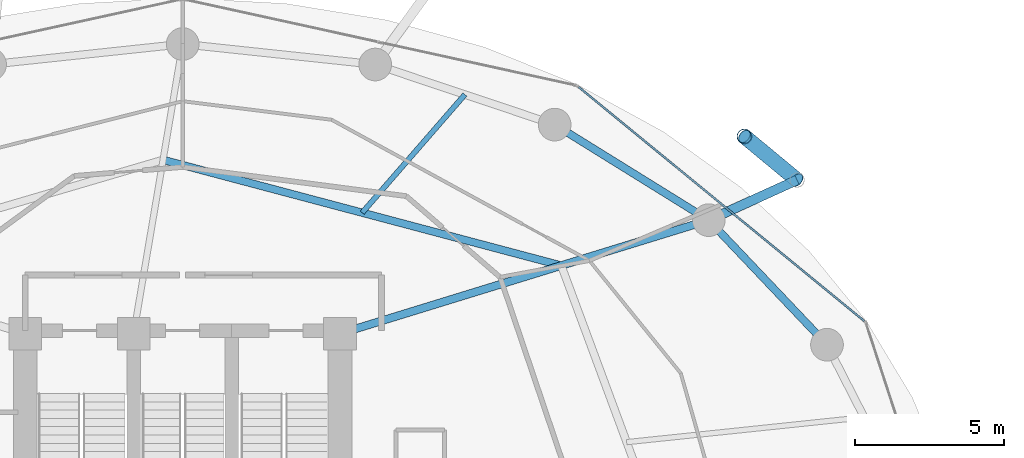
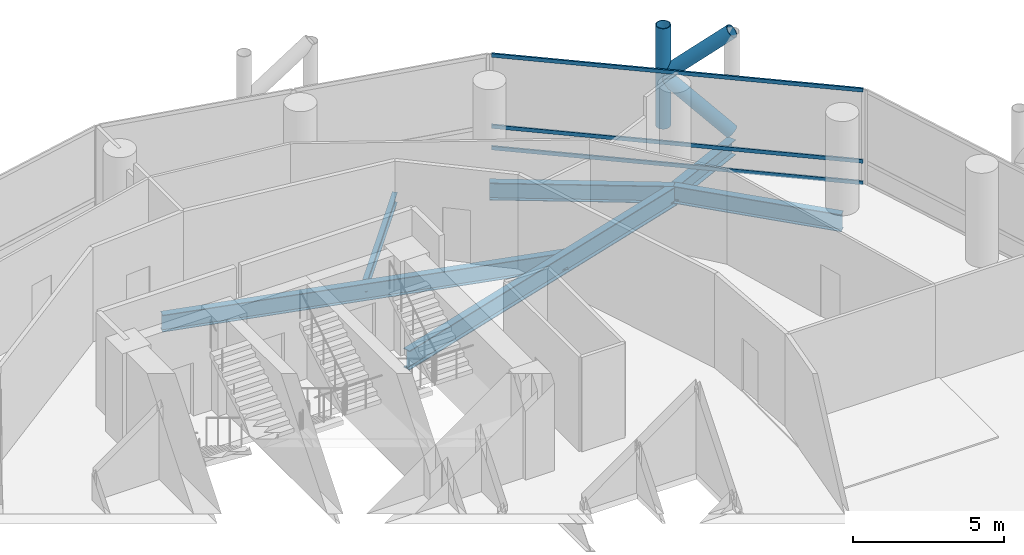
# One storey, part 17 of 26: 6 beams, 6 members, 1 element without a shape of its own.
"""IFC4 building model written with IfcOpenShell, lengths in metres."""

from ifc_helpers import new_model, si_unit, direction, frame, origin, origin_2d, place, context, subcontext, project, spatial, hollow_rectangle, hollow_circle, i_section, extrude, material, layer, layer_set, material_profile, profile_set, type_object, element, aggregate, save


model = new_model("IFC4")

# Units and contexts
model_context = context("Model", 3, precision=1e-05, world=origin(), true_north=direction((0.0, 1.0)))
body_context = subcontext(model_context, "Body", "Model", "MODEL_VIEW")
ifc_project = project(units=[si_unit("LENGTHUNIT", "METRE"), si_unit("AREAUNIT", "SQUARE_METRE"), si_unit("VOLUMEUNIT", "CUBIC_METRE"), si_unit("PLANEANGLEUNIT", "RADIAN"), si_unit("MASSUNIT", "GRAM", prefix="KILO")], contexts=[model_context])

# Site, building, storey
site_placement = place(None, origin())
site = spatial("IfcSite", under=ifc_project, at=site_placement, CompositionType="ELEMENT")
building_placement = place(site_placement, origin())
building = spatial("IfcBuilding", under=site, at=building_placement, Name="Nuhasar Tower", CompositionType="ELEMENT")
storey_placement = place(building_placement, frame((0.0, 0.0, 53.39990234375)))
storey = spatial("IfcBuildingStorey", under=building, at=storey_placement, Name="L12", CompositionType="ELEMENT", Elevation=53.39990234375)

# Beams
ifc_material_1 = material(Name="Steel S355", Category="steel")
ifc_material_profile_1 = material_profile(ifc_material_1, i_section(OverallWidth=0.25390625, OverallDepth=0.68408203125, WebThickness=0.012451171875, FlangeThickness=0.018798828125, at=origin_2d()), Name="W27X94")
ifc_profile_set_1 = profile_set([ifc_material_profile_1], Name="Steel S355")
beam_type_1 = type_object("IfcBeamType", Name="BM-INRING-W27X94", PredefinedType="BEAM", material=ifc_profile_set_1)
beam_1_placement = place(storey_placement, frame((51.748046875, 39.591064453125, -0.601806640625), z_axis=(-0.96653253005, 0.256544086574, 0.0), x_axis=(-0.256544086574, -0.96653253005, 0.0)))
element("IfcBeam", 1, at=beam_1_placement, inside=storey, type_object=beam_type_1, Name="L12 Inner Header Beam 05", PredefinedType="BEAM", context=body_context, shape_type="SweptSolid", body=[
    extrude(i_section(OverallWidth=0.25390625, OverallDepth=0.68408203125, WebThickness=0.012451171875, FlangeThickness=0.018798828125, at=origin_2d()), origin(), (0.0, 0.0, 1.0), 13.872314453125),
])
ifc_material_profile_2 = material_profile(ifc_material_1, i_section(OverallWidth=0.177978515625, OverallDepth=0.406005859375, WebThickness=0.0078125, FlangeThickness=0.0126953125, at=origin_2d()), Name="W16X40")
ifc_profile_set_2 = profile_set([ifc_material_profile_2], Name="Steel S355")
beam_type_2 = type_object("IfcBeamType", Name="BM-JST-W16X40", PredefinedType="JOIST", material=ifc_profile_set_2)
beam_2_placement = place(storey_placement, frame((45.0439453125, 41.3701171875, -0.462890625), z_axis=(0.656174129694, 0.754609509296, 0.0), x_axis=(-0.754609509296, 0.656174129694, 0.0)))
element("IfcBeam", 2, at=beam_2_placement, inside=storey, type_object=beam_type_2, Name="L12 Secondary Floor Joist 05", PredefinedType="JOIST", context=body_context, shape_type="SweptSolid", body=[
    extrude(i_section(OverallWidth=0.177978515625, OverallDepth=0.406005859375, WebThickness=0.0078125, FlangeThickness=0.0126953125, at=origin_2d()), origin(), (0.0, 0.0, 1.0), 5.27294921875),
])
ifc_material_profile_3 = material_profile(ifc_material_1, i_section(OverallWidth=0.26611328125, OverallDepth=0.779052734375, WebThickness=0.0166015625, FlangeThickness=0.030029296875, at=origin_2d()), Name="W30X148")
ifc_profile_set_3 = profile_set([ifc_material_profile_3], Name="Steel S355")
beam_type_3 = type_object("IfcBeamType", Name="BM-RAD-W30X148", PredefinedType="BEAM", material=ifc_profile_set_3)
beam_3_placement = place(storey_placement, frame((44.300048828125, 37.300048828125, -0.64892578125), z_axis=(0.955789576103, 0.294051502653, 0.0), x_axis=(-0.294051502653, 0.955789576103, 0.0)))
element("IfcBeam", 3, at=beam_3_placement, inside=storey, type_object=beam_type_3, Name="L12 Radial Floor Girder 05", PredefinedType="BEAM", context=body_context, shape_type="SweptSolid", body=[
    extrude(i_section(OverallWidth=0.26611328125, OverallDepth=0.779052734375, WebThickness=0.0166015625, FlangeThickness=0.030029296875, at=origin_2d()), origin(), (0.0, 0.0, 1.0), 12.987060546875),
])
ifc_material_profile_4 = material_profile(ifc_material_1, i_section(OverallWidth=0.256103515625, OverallDepth=0.693115234375, WebThickness=0.014404296875, FlangeThickness=0.023681640625, at=origin_2d()), Name="W27X114")
ifc_profile_set_4 = profile_set([ifc_material_profile_4], Name="Steel S355")
beam_type_4 = type_object("IfcBeamType", Name="BM-RING-W27X114", PredefinedType="SPANDREL", material=ifc_profile_set_4)
beam_4_placement = place(storey_placement, frame((60.694091796875, 36.925048828125, -0.60595703125), z_axis=(-0.688480893507, 0.725254478976, 0.0), x_axis=(-0.725254478976, -0.688480893507, 0.0)))
element("IfcBeam", 4, at=beam_4_placement, inside=storey, type_object=beam_type_4, Name="L12 Perimeter Ring Spandrel 03", PredefinedType="SPANDREL", context=body_context, shape_type="SweptSolid", body=[
    extrude(i_section(OverallWidth=0.256103515625, OverallDepth=0.693115234375, WebThickness=0.014404296875, FlangeThickness=0.023681640625, at=origin_2d()), origin(), (0.0, 0.0, 1.0), 5.782470703125),
])
beam_5_placement = place(storey_placement, frame((56.712890625, 41.118896484375, -0.60595703125), z_axis=(-0.849795216549, 0.527112976439, 0.0), x_axis=(-0.527112976439, -0.849795216549, 0.0)))
element("IfcBeam", 5, at=beam_5_placement, inside=storey, type_object=beam_type_4, Name="L12 Perimeter Ring Spandrel 04", PredefinedType="SPANDREL", context=body_context, shape_type="SweptSolid", body=[
    extrude(i_section(OverallWidth=0.256103515625, OverallDepth=0.693115234375, WebThickness=0.014404296875, FlangeThickness=0.023681640625, at=origin_2d()), origin(), (0.0, 0.0, 1.0), 6.10498046875),
])
ifc_material_profile_5 = material_profile(ifc_material_1, i_section(OverallWidth=0.323974609375, OverallDepth=0.611083984375, WebThickness=0.0126953125, FlangeThickness=0.01904296875, at=origin_2d()), Name="W24X104")
ifc_profile_set_5 = profile_set([ifc_material_profile_5], Name="Steel S355")
beam_type_5 = type_object("IfcBeamType", Name="BM-TIE-W24X104", PredefinedType="BEAM", material=ifc_profile_set_5)
beam_6_placement = place(storey_placement, frame((56.712890625, 41.118896484375, -0.56591796875), z_axis=(0.910243528587, 0.414073325227, 0.0), x_axis=(-0.414073325227, 0.910243528587, 0.0)))
element("IfcBeam", 6, at=beam_6_placement, inside=storey, type_object=beam_type_5, Name="L12 Exoskeleton Node Tie Beam 02", PredefinedType="BEAM", context=body_context, shape_type="SweptSolid", body=[
    extrude(i_section(OverallWidth=0.323974609375, OverallDepth=0.611083984375, WebThickness=0.0126953125, FlangeThickness=0.01904296875, at=origin_2d()), origin(), (0.0, 0.0, 1.0), 3.26513671875),
])

# Curtain wall, members
ifc_material_2 = material(Name="Aluminium 6063-T6", Category="aluminium")
ifc_layer = layer(ifc_material_2, 0.199951171875)
ifc_layer_set = layer_set([ifc_layer], Name="Aluminium 6063-T6")
curtain_wall_type = type_object("IfcCurtainWallType", Name="CW-Z1-OFF", PredefinedType="NOTDEFINED", material=ifc_layer_set)
curtain_wall_placement = place(storey_placement, origin())
curtain_wall = element("IfcCurtainWall", 7, at=curtain_wall_placement, inside=storey, type_object=curtain_wall_type, Name="L12 Unitised Curtain Wall 02", PredefinedType="NOTDEFINED")
ifc_material_profile_6 = material_profile(ifc_material_2, hollow_rectangle(XDim=0.06494140625, YDim=0.14990234375, WallThickness=0.00439453125, at=origin_2d()), Name="CWT-2")
ifc_profile_set_6 = profile_set([ifc_material_profile_6], Name="Aluminium 6063-T6")
member_type_1 = type_object("IfcMemberType", Name="CW-TRN-S2", PredefinedType="USERDEFINED", material=ifc_profile_set_6)
member_1_placement = place(storey_placement, frame((61.95166015625, 37.72119140625, 0.03271484375), z_axis=(-0.773540851599, 0.633746440548, 0.0), x_axis=(-0.633746440548, -0.773540851599, 0.0)))
member_1 = element("IfcMember", 8, at=member_1_placement, type_object=member_type_1, Name="CW-Z1 transom 1.1", ObjectType="TRANSOM", PredefinedType="USERDEFINED", context=body_context, shape_type="SweptSolid", body=[
    extrude(hollow_rectangle(XDim=0.06494140625, YDim=0.14990234375, WallThickness=0.00439453125, at=origin_2d()), origin(), (0.0, 0.0, 1.0), 12.43798828125),
])
member_2_placement = place(storey_placement, frame((61.95166015625, 37.72119140625, 0.900146484375), z_axis=(-0.773540851599, 0.633746440548, 0.0), x_axis=(-0.633746440548, -0.773540851599, 0.0)))
member_2 = element("IfcMember", 9, at=member_2_placement, type_object=member_type_1, Name="CW-Z1 transom 1.2", ObjectType="TRANSOM", PredefinedType="USERDEFINED", context=body_context, shape_type="SweptSolid", body=[
    extrude(hollow_rectangle(XDim=0.06494140625, YDim=0.14990234375, WallThickness=0.00439453125, at=origin_2d()), origin(), (0.0, 0.0, 1.0), 12.43798828125),
])
member_3_placement = place(storey_placement, frame((61.95166015625, 37.72119140625, 3.767578125), z_axis=(-0.773540851599, 0.633746440548, 0.0), x_axis=(-0.633746440548, -0.773540851599, 0.0)))
member_3 = element("IfcMember", 10, at=member_3_placement, type_object=member_type_1, Name="CW-Z1 transom 1.3", ObjectType="TRANSOM", PredefinedType="USERDEFINED", context=body_context, shape_type="SweptSolid", body=[
    extrude(hollow_rectangle(XDim=0.06494140625, YDim=0.14990234375, WallThickness=0.00439453125, at=origin_2d()), origin(), (0.0, 0.0, 1.0), 12.43798828125),
])
aggregate(curtain_wall, [member_1, member_2, member_3])

# Members
ifc_material_3 = material(Name="Steel S460", Category="steel")
ifc_material_profile_7 = material_profile(ifc_material_3, hollow_circle(Radius=0.25390625, WallThickness=0.025390625, at=origin_2d()), Name="HSS508X25.4")
ifc_profile_set_7 = profile_set([ifc_material_profile_7], Name="Steel S460")
member_type_2 = type_object("IfcMemberType", Name="EXO-BRONZE-508", PredefinedType="BRACE", material=ifc_profile_set_7)
member_4_placement = place(storey_placement, frame((57.9130859375, 43.93896484375, 0.0), z_axis=(0.0, 0.0, 1.0), x_axis=(1.0, 0.0, 0.0)))
element("IfcMember", 11, at=member_4_placement, inside=storey, type_object=member_type_2, Name="L12 Exoskeleton Chord Column EC-02B", PredefinedType="BRACE", context=body_context, shape_type="SweptSolid", body=[
    extrude(hollow_circle(Radius=0.25390625, WallThickness=0.025390625, at=origin_2d()), origin(), (0.0, 0.0, 1.0), 4.050048828125),
])
member_5_placement = place(storey_placement, frame((59.68505859375, 42.470947265625, 0.0), z_axis=(-0.578071194894, 0.478911834514, 0.660664172175), x_axis=(-0.637969333506, -0.770061769929, 0.0)))
element("IfcMember", 12, at=member_5_placement, inside=storey, type_object=member_type_2, Name="L12 Bronze Diagrid Brace W1-02", PredefinedType="BRACE", context=body_context, shape_type="SweptSolid", body=[
    extrude(hollow_circle(Radius=0.25390625, WallThickness=0.025390625, at=origin_2d()), origin(), (0.0, 0.0, 1.0), 3.0654296875),
])
member_6_placement = place(storey_placement, frame((57.9130859375, 43.93896484375, 2.025146484375), z_axis=(0.578101613167, -0.478937034992, 0.660619286251), x_axis=(0.637969333506, 0.770061769929, 0.0)))
element("IfcMember", 13, at=member_6_placement, inside=storey, type_object=member_type_2, Name="L12 Bronze Diagrid Brace W2-02", PredefinedType="BRACE", context=body_context, shape_type="SweptSolid", body=[
    extrude(hollow_circle(Radius=0.25390625, WallThickness=0.025390625, at=origin_2d()), origin(), (0.0, 0.0, 1.0), 3.065185546875),
])

save(model, "model.ifc")
